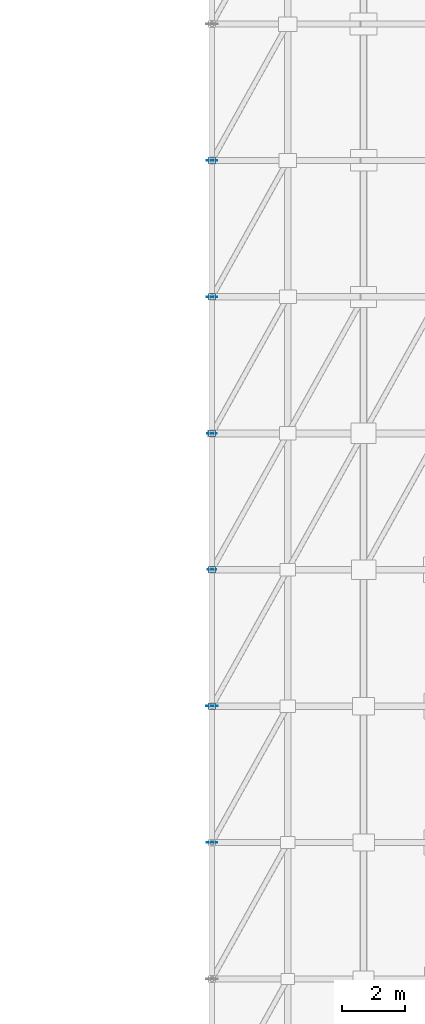
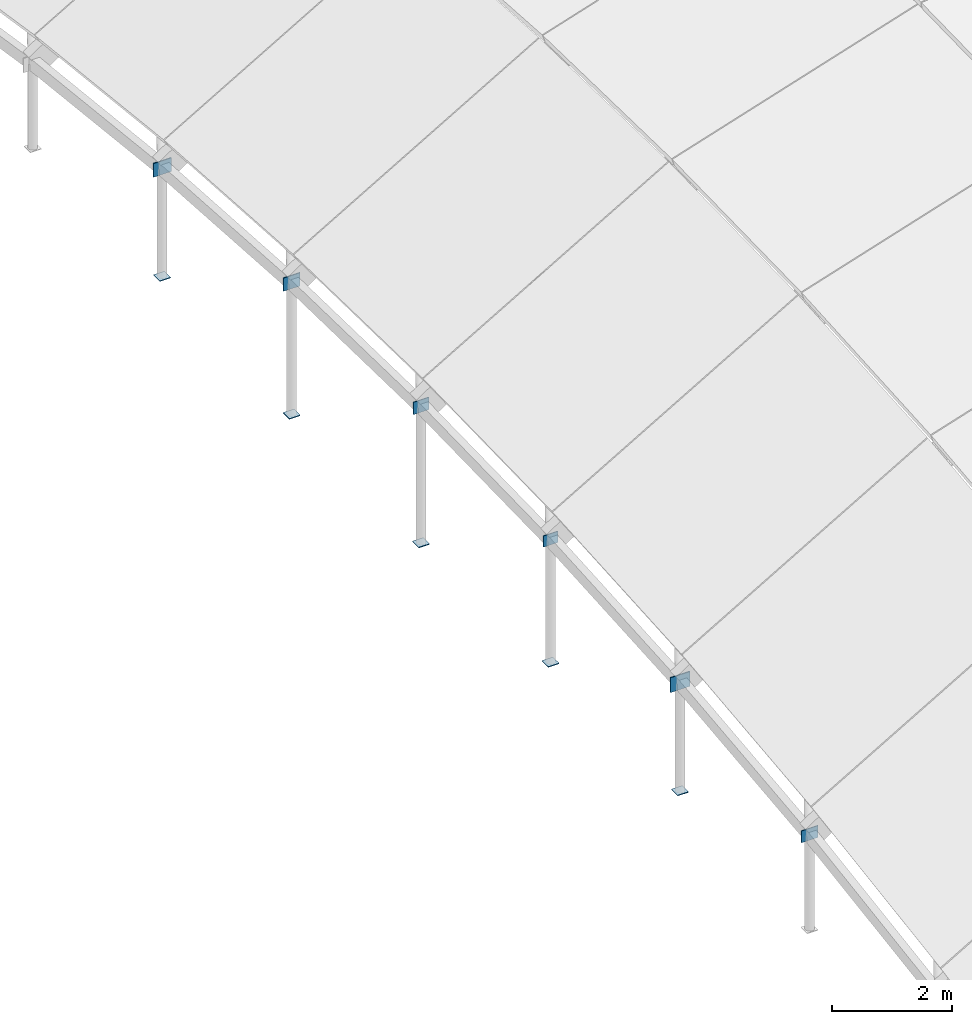
# One storey, part 28 of 35: 11 plates.
"""IFC4 building model written with IfcOpenShell, lengths in metres."""

from ifc_helpers import new_model, si_unit, direction, frame, origin, origin_2d, place, context, subcontext, project, spatial, rectangle, extrude, material, layer, layer_set, type_object, element, save


model = new_model("IFC4")

# Units and contexts
model_context = context("Model", 3, precision=1e-05, world=origin(), true_north=direction((0.0, 1.0)))
body_context = subcontext(model_context, "Body", "Model", "MODEL_VIEW")
ifc_project = project(units=[si_unit("LENGTHUNIT", "METRE"), si_unit("AREAUNIT", "SQUARE_METRE"), si_unit("VOLUMEUNIT", "CUBIC_METRE"), si_unit("PLANEANGLEUNIT", "RADIAN"), si_unit("MASSUNIT", "GRAM", prefix="KILO")], contexts=[model_context])

# Site, building, storey
site_placement = place(None, origin())
site = spatial("IfcSite", under=ifc_project, at=site_placement, CompositionType="ELEMENT")
building_placement = place(site_placement, origin())
building = spatial("IfcBuilding", under=site, at=building_placement, Name="Zarrinpeak Specialist Clinic", CompositionType="ELEMENT")
storey_placement = place(building_placement, frame((0.0, 0.0, 31.60009765625)))
storey = spatial("IfcBuildingStorey", under=building, at=storey_placement, Name="RF", CompositionType="ELEMENT", Elevation=31.60009765625)

# Plates
ifc_material = material(Name="Steel S355", Category="steel")
ifc_layer_1 = layer(ifc_material, 0.013916015625)
ifc_layer_set_1 = layer_set([ifc_layer_1], Name="Steel S355")
plate_type_1 = type_object("IfcPlateType", Name="PL-CAP168", PredefinedType="SHEET", material=ifc_layer_set_1)
for number, where, z_axis, x_axis, name in (
    (1, (93.60009765625, 41.760009765625, -17.81201171875), (0.0, 0.0, 1.0), (1.0, 0.0, 0.0), "V3 Gridshell Edge Post Cap Plate PCAP-027"),
    (2, (93.60009765625, 46.080078125, -17.81201171875), (0.0, 0.0, 1.0), (1.0, 0.0, 0.0), "V3 Gridshell Edge Post Cap Plate PCAP-029"),
    (3, (93.60009765625, 50.39990234375, -18.0), (0.0, 0.0, 1.0), (1.0, 0.0, 0.0), "V3 Gridshell Edge Post Cap Plate PCAP-031"),
    (4, (93.60009765625, 54.719970703125, -18.0), (0.0, 0.0, 1.0), (1.0, 0.0, 0.0), "V3 Gridshell Edge Post Cap Plate PCAP-033"),
    (5, (93.60009765625, 59.0400390625, -17.81201171875), (0.0, 0.0, 1.0), (1.0, 0.0, 0.0), "V3 Gridshell Edge Post Cap Plate PCAP-035"),
):
    element("IfcPlate", number, at=place(storey_placement, frame(where, z_axis=z_axis, x_axis=x_axis)), inside=storey, type_object=plate_type_1, Name=name, PredefinedType="SHEET", context=body_context, shape_type="SweptSolid", body=[
        extrude(rectangle(XDim=0.2099609375, YDim=0.2099609375, at=origin_2d()), origin(), (0.0, 0.0, 1.0), 0.013916015625),
    ])
ifc_layer_2 = layer(ifc_material, 0.01806640625)
ifc_layer_set_2 = layer_set([ifc_layer_2], Name="Steel S355")
plate_type_2 = type_object("IfcPlateType", Name="PL-GSN03", PredefinedType="SHEET", material=ifc_layer_set_2)
plate_1_placement = place(storey_placement, frame((93.60009765625, 37.43994140625, -16.18408203125), z_axis=(0.0, 0.0, 1.0), x_axis=(1.0, 0.0, 0.0)))
element("IfcPlate", 6, at=plate_1_placement, inside=storey, type_object=plate_type_2, Name="V3 Gridshell Hub Node Plate GSN-I00-J02", PredefinedType="SHEET", context=body_context, shape_type="SweptSolid", body=[
    extrude(rectangle(XDim=0.320068359375, YDim=0.01806640625, at=origin_2d()), origin(), (0.0, 0.0, 1.0), 0.239990234375),
])
ifc_layer_3 = layer(ifc_material, 0.02197265625)
ifc_layer_set_3 = layer_set([ifc_layer_3], Name="Steel S355")
plate_type_3 = type_object("IfcPlateType", Name="PL-GSN04", PredefinedType="SHEET", material=ifc_layer_set_3)
plate_2_placement = place(storey_placement, frame((93.60009765625, 41.760009765625, -15.73388671875), z_axis=(0.0, 0.0, 1.0), x_axis=(1.0, 0.0, 0.0)))
element("IfcPlate", 7, at=plate_2_placement, inside=storey, type_object=plate_type_3, Name="V3 Gridshell Hub Node Plate GSN-I00-J03", PredefinedType="SHEET", context=body_context, shape_type="SweptSolid", body=[
    extrude(rectangle(XDim=0.3798828125, YDim=0.02197265625, at=origin_2d()), origin(), (0.0, 0.0, 1.0), 0.300048828125),
])
ifc_layer_4 = layer(ifc_material, 0.01611328125)
ifc_layer_set_4 = layer_set([ifc_layer_4], Name="Steel S355")
plate_type_4 = type_object("IfcPlateType", Name="PL-ND01", PredefinedType="SHEET", material=ifc_layer_set_4)
plate_3_placement = place(storey_placement, frame((93.60009765625, 46.080078125, -15.4111328125), z_axis=(0.0, 0.0, 1.0), x_axis=(1.0, 0.0, 0.0)))
element("IfcPlate", 8, at=plate_3_placement, inside=storey, type_object=plate_type_4, Name="V3 Gridshell Hub Node Plate GSN-I00-J04", PredefinedType="SHEET", context=body_context, shape_type="SweptSolid", body=[
    extrude(rectangle(XDim=0.280029296875, YDim=0.01611328125, at=origin_2d()), origin(), (0.0, 0.0, 1.0), 0.22998046875),
])
ifc_layer_5 = layer(ifc_material, 0.01806640625)
ifc_layer_set_5 = layer_set([ifc_layer_5], Name="Steel S355")
plate_type_5 = type_object("IfcPlateType", Name="PL-ND02", PredefinedType="SHEET", material=ifc_layer_set_5)
plate_4_placement = place(storey_placement, frame((93.60009765625, 50.39990234375, -15.3251953125), z_axis=(0.0, 0.0, 1.0), x_axis=(1.0, 0.0, 0.0)))
element("IfcPlate", 9, at=plate_4_placement, inside=storey, type_object=plate_type_5, Name="V3 Gridshell Hub Node Plate GSN-I00-J05", PredefinedType="SHEET", context=body_context, shape_type="SweptSolid", body=[
    extrude(rectangle(XDim=0.300048828125, YDim=0.01806640625, at=origin_2d()), origin(), (0.0, 0.0, 1.0), 0.25),
])
ifc_layer_6 = layer(ifc_material, 0.02001953125)
ifc_layer_set_6 = layer_set([ifc_layer_6], Name="Steel S355")
plate_type_6 = type_object("IfcPlateType", Name="PL-ND03", PredefinedType="SHEET", material=ifc_layer_set_6)
plate_5_placement = place(storey_placement, frame((93.60009765625, 54.719970703125, -15.43115234375), z_axis=(0.0, 0.0, 1.0), x_axis=(1.0, 0.0, 0.0)))
element("IfcPlate", 10, at=plate_5_placement, inside=storey, type_object=plate_type_6, Name="V3 Gridshell Hub Node Plate GSN-I00-J06", PredefinedType="SHEET", context=body_context, shape_type="SweptSolid", body=[
    extrude(rectangle(XDim=0.320068359375, YDim=0.02001953125, at=origin_2d()), origin(), (0.0, 0.0, 1.0), 0.27001953125),
])
ifc_layer_7 = layer(ifc_material, 0.02197265625)
ifc_layer_set_7 = layer_set([ifc_layer_7], Name="Steel S355")
plate_type_7 = type_object("IfcPlateType", Name="PL-ND04", PredefinedType="SHEET", material=ifc_layer_set_7)
plate_6_placement = place(storey_placement, frame((93.60009765625, 59.0400390625, -15.72412109375), z_axis=(0.0, 0.0, 1.0), x_axis=(1.0, 0.0, 0.0)))
element("IfcPlate", 11, at=plate_6_placement, inside=storey, type_object=plate_type_7, Name="V3 Gridshell Hub Node Plate GSN-I00-J07", PredefinedType="SHEET", context=body_context, shape_type="SweptSolid", body=[
    extrude(rectangle(XDim=0.340087890625, YDim=0.02197265625, at=origin_2d()), origin(), (0.0, 0.0, 1.0), 0.280029296875),
])

save(model, "model.ifc")
